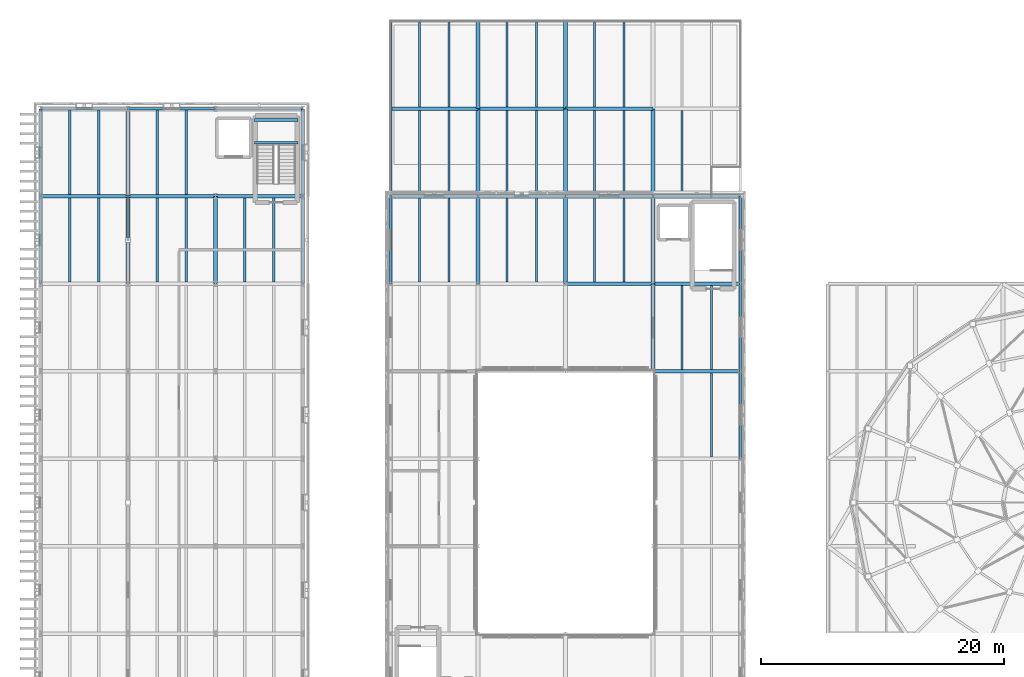
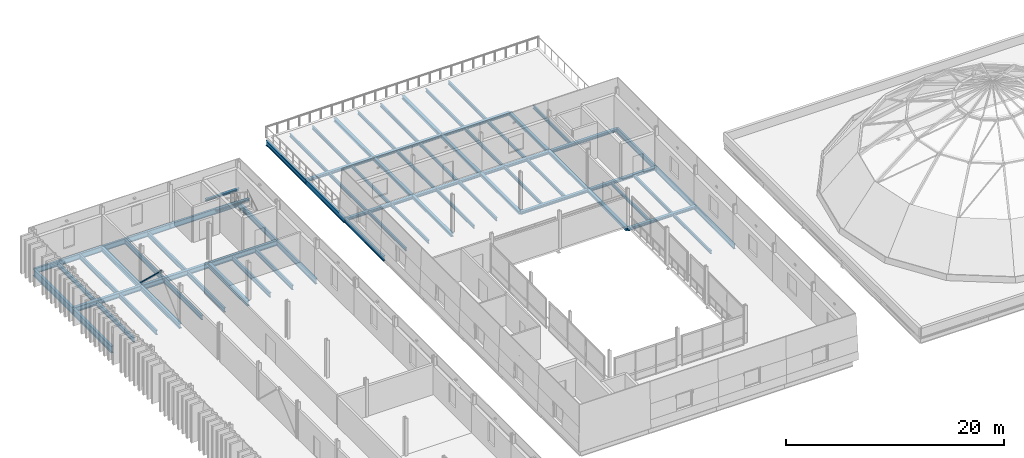
# One storey, part 12 of 66: 72 beams, 1 member.
"""IFC4 building model written with IfcOpenShell, lengths in metres."""

from ifc_helpers import new_model, si_unit, direction, frame, origin, origin_2d, place, context, subcontext, project, spatial, hollow_circle, i_section, extrude, material, material_profile, profile_set, type_object, element, save


model = new_model("IFC4")

# Units and contexts
model_context = context("Model", 3, precision=1e-05, world=origin(), true_north=direction((0.0, 1.0)))
body_context = subcontext(model_context, "Body", "Model", "MODEL_VIEW")
ifc_project = project(units=[si_unit("LENGTHUNIT", "METRE"), si_unit("AREAUNIT", "SQUARE_METRE"), si_unit("VOLUMEUNIT", "CUBIC_METRE"), si_unit("PLANEANGLEUNIT", "RADIAN"), si_unit("MASSUNIT", "GRAM", prefix="KILO")], contexts=[model_context])

# Site, building, storey
site_placement = place(None, origin())
site = spatial("IfcSite", under=ifc_project, at=site_placement, CompositionType="ELEMENT")
building_placement = place(site_placement, origin())
building = spatial("IfcBuilding", under=site, at=building_placement, Name="Narikvali Park Central Library", CompositionType="ELEMENT")
storey_placement = place(building_placement, frame((0.0, 0.0, 18.60009765625)))
storey = spatial("IfcBuildingStorey", under=building, at=storey_placement, Name="L04", CompositionType="ELEMENT", Elevation=18.60009765625)

# Beams
ifc_material = material(Name="Steel S355", Category="steel")
ifc_material_profile_1 = material_profile(ifc_material, i_section(OverallWidth=0.169921875, OverallDepth=0.360107421875, WebThickness=0.008056640625, FlangeThickness=0.0126953125, FilletRadius=0.01806640625, at=origin_2d()), Name="IPE 360")
ifc_profile_set_1 = profile_set([ifc_material_profile_1], Name="Steel S355")
beam_type_1 = type_object("IfcBeamType", Name="Composite Floor Joist IPE360", PredefinedType="JOIST", material=ifc_profile_set_1)
for number, where, z_axis, x_axis, name in (
    (1, (31.199951171875, 93.75, -0.440185546875), (0.0, 1.0, 0.0), (-1.0, 0.0, 0.0), "V4 L04 Composite Joist 1"),
    (2, (33.60009765625, 93.75, -0.440185546875), (0.0, 1.0, 0.0), (-1.0, 0.0, 0.0), "V4 L04 Composite Joist 2"),
):
    element("IfcBeam", number, at=place(storey_placement, frame(where, z_axis=z_axis, x_axis=x_axis)), inside=storey, type_object=beam_type_1, Name=name, PredefinedType="JOIST", context=body_context, shape_type="SweptSolid", body=[
        extrude(i_section(OverallWidth=0.169921875, OverallDepth=0.360107421875, WebThickness=0.008056640625, FlangeThickness=0.0126953125, FilletRadius=0.01806640625, at=origin_2d()), origin(), (0.0, 0.0, 1.0), 6.89990234375),
    ])
for number, where, z_axis, x_axis, name in (
    (3, (31.199951171875, 100.949951171875, -0.52001953125), (0.0, 1.0, 0.0), (-1.0, 0.0, 0.0), "V4 L04 Composite Joist 1"),
    (4, (33.60009765625, 100.949951171875, -0.52001953125), (0.0, 1.0, 0.0), (-1.0, 0.0, 0.0), "V4 L04 Composite Joist 2"),
):
    element("IfcBeam", number, at=place(storey_placement, frame(where, z_axis=z_axis, x_axis=x_axis)), inside=storey, type_object=beam_type_1, Name=name, PredefinedType="JOIST", context=body_context, shape_type="SweptSolid", body=[
        extrude(i_section(OverallWidth=0.169921875, OverallDepth=0.360107421875, WebThickness=0.008056640625, FlangeThickness=0.0126953125, FilletRadius=0.01806640625, at=origin_2d()), origin(), (0.0, 0.0, 1.0), 6.900146484375),
    ])
for number, where, z_axis, x_axis, name in (
    (5, (31.199951171875, 108.14990234375, -0.52001953125), (0.0, 1.0, 0.0), (-1.0, 0.0, 0.0), "V4 L04 Composite Joist 1"),
    (6, (33.60009765625, 108.14990234375, -0.52001953125), (0.0, 1.0, 0.0), (-1.0, 0.0, 0.0), "V4 L04 Composite Joist 2"),
):
    element("IfcBeam", number, at=place(storey_placement, frame(where, z_axis=z_axis, x_axis=x_axis)), inside=storey, type_object=beam_type_1, Name=name, PredefinedType="JOIST", context=body_context, shape_type="SweptSolid", body=[
        extrude(i_section(OverallWidth=0.169921875, OverallDepth=0.360107421875, WebThickness=0.008056640625, FlangeThickness=0.0126953125, FilletRadius=0.01806640625, at=origin_2d()), origin(), (0.0, 0.0, 1.0), 6.945068359375),
    ])
for number, where, z_axis, x_axis, name in (
    (7, (38.39990234375, 93.75, -0.440185546875), (0.0, 1.0, 0.0), (-1.0, 0.0, 0.0), "V4 L04 Composite Joist 1"),
    (8, (40.800048828125, 93.75, -0.440185546875), (0.0, 1.0, 0.0), (-1.0, 0.0, 0.0), "V4 L04 Composite Joist 2"),
):
    element("IfcBeam", number, at=place(storey_placement, frame(where, z_axis=z_axis, x_axis=x_axis)), inside=storey, type_object=beam_type_1, Name=name, PredefinedType="JOIST", context=body_context, shape_type="SweptSolid", body=[
        extrude(i_section(OverallWidth=0.169921875, OverallDepth=0.360107421875, WebThickness=0.008056640625, FlangeThickness=0.0126953125, FilletRadius=0.01806640625, at=origin_2d()), origin(), (0.0, 0.0, 1.0), 6.89990234375),
    ])
for number, where, z_axis, x_axis, name in (
    (9, (38.39990234375, 100.949951171875, -0.52001953125), (0.0, 1.0, 0.0), (-1.0, 0.0, 0.0), "V4 L04 Composite Joist 1"),
    (10, (40.800048828125, 100.949951171875, -0.52001953125), (0.0, 1.0, 0.0), (-1.0, 0.0, 0.0), "V4 L04 Composite Joist 2"),
):
    element("IfcBeam", number, at=place(storey_placement, frame(where, z_axis=z_axis, x_axis=x_axis)), inside=storey, type_object=beam_type_1, Name=name, PredefinedType="JOIST", context=body_context, shape_type="SweptSolid", body=[
        extrude(i_section(OverallWidth=0.169921875, OverallDepth=0.360107421875, WebThickness=0.008056640625, FlangeThickness=0.0126953125, FilletRadius=0.01806640625, at=origin_2d()), origin(), (0.0, 0.0, 1.0), 6.900146484375),
    ])
for number, where, z_axis, x_axis, name in (
    (11, (38.39990234375, 108.14990234375, -0.52001953125), (0.0, 1.0, 0.0), (-1.0, 0.0, 0.0), "V4 L04 Composite Joist 1"),
    (12, (40.800048828125, 108.14990234375, -0.52001953125), (0.0, 1.0, 0.0), (-1.0, 0.0, 0.0), "V4 L04 Composite Joist 2"),
):
    element("IfcBeam", number, at=place(storey_placement, frame(where, z_axis=z_axis, x_axis=x_axis)), inside=storey, type_object=beam_type_1, Name=name, PredefinedType="JOIST", context=body_context, shape_type="SweptSolid", body=[
        extrude(i_section(OverallWidth=0.169921875, OverallDepth=0.360107421875, WebThickness=0.008056640625, FlangeThickness=0.0126953125, FilletRadius=0.01806640625, at=origin_2d()), origin(), (0.0, 0.0, 1.0), 6.945068359375),
    ])
for number, where, z_axis, x_axis, name in (
    (13, (45.60009765625, 93.75, -0.440185546875), (0.0, 1.0, 0.0), (-1.0, 0.0, 0.0), "V4 L04 Composite Joist 1"),
    (14, (48.0, 93.75, -0.440185546875), (0.0, 1.0, 0.0), (-1.0, 0.0, 0.0), "V4 L04 Composite Joist 2"),
):
    element("IfcBeam", number, at=place(storey_placement, frame(where, z_axis=z_axis, x_axis=x_axis)), inside=storey, type_object=beam_type_1, Name=name, PredefinedType="JOIST", context=body_context, shape_type="SweptSolid", body=[
        extrude(i_section(OverallWidth=0.169921875, OverallDepth=0.360107421875, WebThickness=0.008056640625, FlangeThickness=0.0126953125, FilletRadius=0.01806640625, at=origin_2d()), origin(), (0.0, 0.0, 1.0), 6.89990234375),
    ])
for number, where, z_axis, x_axis, name in (
    (15, (45.60009765625, 100.949951171875, -0.52001953125), (0.0, 1.0, 0.0), (-1.0, 0.0, 0.0), "V4 L04 Composite Joist 1"),
    (16, (48.0, 100.949951171875, -0.52001953125), (0.0, 1.0, 0.0), (-1.0, 0.0, 0.0), "V4 L04 Composite Joist 2"),
):
    element("IfcBeam", number, at=place(storey_placement, frame(where, z_axis=z_axis, x_axis=x_axis)), inside=storey, type_object=beam_type_1, Name=name, PredefinedType="JOIST", context=body_context, shape_type="SweptSolid", body=[
        extrude(i_section(OverallWidth=0.169921875, OverallDepth=0.360107421875, WebThickness=0.008056640625, FlangeThickness=0.0126953125, FilletRadius=0.01806640625, at=origin_2d()), origin(), (0.0, 0.0, 1.0), 6.900146484375),
    ])
for number, where, z_axis, x_axis, name in (
    (17, (45.60009765625, 108.14990234375, -0.52001953125), (0.0, 1.0, 0.0), (-1.0, 0.0, 0.0), "V4 L04 Composite Joist 1"),
    (18, (48.0, 108.14990234375, -0.52001953125), (0.0, 1.0, 0.0), (-1.0, 0.0, 0.0), "V4 L04 Composite Joist 2"),
):
    element("IfcBeam", number, at=place(storey_placement, frame(where, z_axis=z_axis, x_axis=x_axis)), inside=storey, type_object=beam_type_1, Name=name, PredefinedType="JOIST", context=body_context, shape_type="SweptSolid", body=[
        extrude(i_section(OverallWidth=0.169921875, OverallDepth=0.360107421875, WebThickness=0.008056640625, FlangeThickness=0.0126953125, FilletRadius=0.01806640625, at=origin_2d()), origin(), (0.0, 0.0, 1.0), 6.945068359375),
    ])
for number, where, z_axis, x_axis, name in (
    (19, (55.199951171875, 79.35009765625, -0.440185546875), (0.0, 1.0, 0.0), (-1.0, 0.0, 0.0), "V4 L04 Composite Joist 2"),
    (20, (52.800048828125, 86.550048828125, -0.440185546875), (0.0, 1.0, 0.0), (-1.0, 0.0, 0.0), "V4 L04 Composite Joist 1"),
    (21, (55.199951171875, 86.550048828125, -0.440185546875), (0.0, 1.0, 0.0), (-1.0, 0.0, 0.0), "V4 L04 Composite Joist 2"),
):
    element("IfcBeam", number, at=place(storey_placement, frame(where, z_axis=z_axis, x_axis=x_axis)), inside=storey, type_object=beam_type_1, Name=name, PredefinedType="JOIST", context=body_context, shape_type="SweptSolid", body=[
        extrude(i_section(OverallWidth=0.169921875, OverallDepth=0.360107421875, WebThickness=0.008056640625, FlangeThickness=0.0126953125, FilletRadius=0.01806640625, at=origin_2d()), origin(), (0.0, 0.0, 1.0), 6.89990234375),
    ])
beam_1_placement = place(storey_placement, frame((52.800048828125, 100.949951171875, -0.52001953125), z_axis=(0.0, 1.0, 0.0), x_axis=(-1.0, 0.0, 0.0)))
element("IfcBeam", 22, at=beam_1_placement, inside=storey, type_object=beam_type_1, Name="V4 L04 Composite Joist 1", PredefinedType="JOIST", context=body_context, shape_type="SweptSolid", body=[
    extrude(i_section(OverallWidth=0.169921875, OverallDepth=0.360107421875, WebThickness=0.008056640625, FlangeThickness=0.0126953125, FilletRadius=0.01806640625, at=origin_2d()), origin(), (0.0, 0.0, 1.0), 6.900146484375),
])
ifc_material_profile_2 = material_profile(ifc_material, i_section(OverallWidth=0.239990234375, OverallDepth=0.239990234375, WebThickness=0.010009765625, FlangeThickness=0.01708984375, FilletRadius=0.02099609375, at=origin_2d()), Name="HEB 240")
ifc_profile_set_2 = profile_set([ifc_material_profile_2], Name="Steel S355")
beam_type_2 = type_object("IfcBeamType", Name="Core Trimmer Girder HEB240", PredefinedType="BEAM", material=ifc_profile_set_2)
for number, where, z_axis, x_axis, name in (
    (23, (17.6201171875, 105.205078125, 1.77978515625), (1.0, 0.0, 0.0), (0.0, 1.0, 0.0), "ST-10 L04 Landing Trimmer Beam 1-1"),
    (24, (17.6201171875, 107.080078125, 1.77978515625), (1.0, 0.0, 0.0), (0.0, 1.0, 0.0), "ST-10 L04 Landing Trimmer Beam 1-2"),
):
    element("IfcBeam", number, at=place(storey_placement, frame(where, z_axis=z_axis, x_axis=x_axis)), inside=storey, type_object=beam_type_2, Name=name, PredefinedType="BEAM", context=body_context, shape_type="SweptSolid", body=[
        extrude(i_section(OverallWidth=0.239990234375, OverallDepth=0.239990234375, WebThickness=0.010009765625, FlangeThickness=0.01708984375, FilletRadius=0.02099609375, at=origin_2d()), origin(), (0.0, 0.0, 1.0), 3.559814453125),
    ])
ifc_material_profile_3 = material_profile(ifc_material, i_section(OverallWidth=0.264892578125, OverallDepth=0.7529296875, WebThickness=0.01318359375, FlangeThickness=0.01708984375, FilletRadius=0.01708984375, at=origin_2d()), Name="IPE 750x147")
ifc_profile_set_3 = profile_set([ifc_material_profile_3], Name="Steel S355")
beam_type_3 = type_object("IfcBeamType", Name="Fin Facade Spandrel IPE750", PredefinedType="SPANDREL", material=ifc_profile_set_3)
beam_2_placement = place(storey_placement, frame((0.0, 93.60791015625, -0.63671875), z_axis=(0.0, 1.0, 0.0), x_axis=(-1.0, 0.0, 0.0)))
element("IfcBeam", 25, at=beam_2_placement, inside=storey, type_object=beam_type_3, Name="V5 L04 Girder Y", PredefinedType="SPANDREL", context=body_context, shape_type="SweptSolid", body=[
    extrude(i_section(OverallWidth=0.264892578125, OverallDepth=0.7529296875, WebThickness=0.01318359375, FlangeThickness=0.01708984375, FilletRadius=0.01708984375, at=origin_2d()), origin(), (0.0, 0.0, 1.0), 7.18408203125),
])
beam_3_placement = place(storey_placement, frame((0.0, 100.80810546875, -0.63671875), z_axis=(0.0, 1.0, 0.0), x_axis=(-1.0, 0.0, 0.0)))
element("IfcBeam", 26, at=beam_3_placement, inside=storey, type_object=beam_type_3, Name="V5 L04 Girder Y", PredefinedType="SPANDREL", context=body_context, shape_type="SweptSolid", body=[
    extrude(i_section(OverallWidth=0.264892578125, OverallDepth=0.7529296875, WebThickness=0.01318359375, FlangeThickness=0.01708984375, FilletRadius=0.01708984375, at=origin_2d()), origin(), (0.0, 0.0, 1.0), 7.183837890625),
])
ifc_material_profile_4 = material_profile(ifc_material, i_section(OverallWidth=0.201904296875, OverallDepth=0.506103515625, WebThickness=0.011962890625, FlangeThickness=0.01904296875, FilletRadius=0.02099609375, at=origin_2d()), Name="IPEO 500")
ifc_profile_set_4 = profile_set([ifc_material_profile_4], Name="Steel S355")
beam_type_4 = type_object("IfcBeamType", Name="Open Stack Joist IPEO500", PredefinedType="JOIST", material=ifc_profile_set_4)
for number, where, z_axis, x_axis, name in (
    (27, (2.39990234375, 93.75, -0.51318359375), (0.0, 1.0, 0.0), (-1.0, 0.0, 0.0), "V5 L04 Composite Joist 1"),
    (28, (4.800048828125, 93.75, -0.51318359375), (0.0, 1.0, 0.0), (-1.0, 0.0, 0.0), "V5 L04 Composite Joist 2"),
):
    element("IfcBeam", number, at=place(storey_placement, frame(where, z_axis=z_axis, x_axis=x_axis)), inside=storey, type_object=beam_type_4, Name=name, PredefinedType="JOIST", context=body_context, shape_type="SweptSolid", body=[
        extrude(i_section(OverallWidth=0.201904296875, OverallDepth=0.506103515625, WebThickness=0.011962890625, FlangeThickness=0.01904296875, FilletRadius=0.02099609375, at=origin_2d()), origin(), (0.0, 0.0, 1.0), 6.89990234375),
    ])
for number, where, z_axis, x_axis, name in (
    (29, (2.39990234375, 100.949951171875, -0.51318359375), (0.0, 1.0, 0.0), (-1.0, 0.0, 0.0), "V5 L04 Composite Joist 1"),
    (30, (4.800048828125, 100.949951171875, -0.51318359375), (0.0, 1.0, 0.0), (-1.0, 0.0, 0.0), "V5 L04 Composite Joist 2"),
):
    element("IfcBeam", number, at=place(storey_placement, frame(where, z_axis=z_axis, x_axis=x_axis)), inside=storey, type_object=beam_type_4, Name=name, PredefinedType="JOIST", context=body_context, shape_type="SweptSolid", body=[
        extrude(i_section(OverallWidth=0.201904296875, OverallDepth=0.506103515625, WebThickness=0.011962890625, FlangeThickness=0.01904296875, FilletRadius=0.02099609375, at=origin_2d()), origin(), (0.0, 0.0, 1.0), 6.93994140625),
    ])
for number, where, z_axis, x_axis, name in (
    (31, (9.60009765625, 93.75, -0.51318359375), (0.0, 1.0, 0.0), (-1.0, 0.0, 0.0), "V5 L04 Composite Joist 1"),
    (32, (12.0, 93.75, -0.51318359375), (0.0, 1.0, 0.0), (-1.0, 0.0, 0.0), "V5 L04 Composite Joist 2"),
):
    element("IfcBeam", number, at=place(storey_placement, frame(where, z_axis=z_axis, x_axis=x_axis)), inside=storey, type_object=beam_type_4, Name=name, PredefinedType="JOIST", context=body_context, shape_type="SweptSolid", body=[
        extrude(i_section(OverallWidth=0.201904296875, OverallDepth=0.506103515625, WebThickness=0.011962890625, FlangeThickness=0.01904296875, FilletRadius=0.02099609375, at=origin_2d()), origin(), (0.0, 0.0, 1.0), 6.89990234375),
    ])
for number, where, z_axis, x_axis, name in (
    (33, (9.60009765625, 100.949951171875, -0.51318359375), (0.0, 1.0, 0.0), (-1.0, 0.0, 0.0), "V5 L04 Composite Joist 1"),
    (34, (12.0, 100.949951171875, -0.51318359375), (0.0, 1.0, 0.0), (-1.0, 0.0, 0.0), "V5 L04 Composite Joist 2"),
):
    element("IfcBeam", number, at=place(storey_placement, frame(where, z_axis=z_axis, x_axis=x_axis)), inside=storey, type_object=beam_type_4, Name=name, PredefinedType="JOIST", context=body_context, shape_type="SweptSolid", body=[
        extrude(i_section(OverallWidth=0.201904296875, OverallDepth=0.506103515625, WebThickness=0.011962890625, FlangeThickness=0.01904296875, FilletRadius=0.02099609375, at=origin_2d()), origin(), (0.0, 0.0, 1.0), 6.93994140625),
    ])
for number, where, z_axis, x_axis, name in (
    (35, (16.800048828125, 93.75, -0.51318359375), (0.0, 1.0, 0.0), (-1.0, 0.0, 0.0), "V5 L04 Composite Joist 1"),
    (36, (19.199951171875, 93.75, -0.51318359375), (0.0, 1.0, 0.0), (-1.0, 0.0, 0.0), "V5 L04 Composite Joist 2"),
):
    element("IfcBeam", number, at=place(storey_placement, frame(where, z_axis=z_axis, x_axis=x_axis)), inside=storey, type_object=beam_type_4, Name=name, PredefinedType="JOIST", context=body_context, shape_type="SweptSolid", body=[
        extrude(i_section(OverallWidth=0.201904296875, OverallDepth=0.506103515625, WebThickness=0.011962890625, FlangeThickness=0.01904296875, FilletRadius=0.02099609375, at=origin_2d()), origin(), (0.0, 0.0, 1.0), 6.89990234375),
    ])
ifc_material_profile_5 = material_profile(ifc_material, i_section(OverallWidth=0.2099609375, OverallDepth=0.550048828125, WebThickness=0.010986328125, FlangeThickness=0.01708984375, FilletRadius=0.02392578125, at=origin_2d()), Name="IPE 550")
ifc_profile_set_5 = profile_set([ifc_material_profile_5], Name="Steel S355")
beam_type_5 = type_object("IfcBeamType", Name="Perimeter Spandrel IPE550", PredefinedType="SPANDREL", material=ifc_profile_set_5)
beam_4_placement = place(storey_placement, frame((28.800048828125, 93.60791015625, -0.53515625), z_axis=(0.0, 1.0, 0.0), x_axis=(-1.0, 0.0, 0.0)))
element("IfcBeam", 37, at=beam_4_placement, inside=storey, type_object=beam_type_5, Name="V4 L04 Girder Y", PredefinedType="SPANDREL", context=body_context, shape_type="SweptSolid", body=[
    extrude(i_section(OverallWidth=0.2099609375, OverallDepth=0.550048828125, WebThickness=0.010986328125, FlangeThickness=0.01708984375, FilletRadius=0.02392578125, at=origin_2d()), origin(), (0.0, 0.0, 1.0), 7.18408203125),
])
for number, where, z_axis, x_axis, name in (
    (38, (28.800048828125, 100.80810546875, -0.614990234375), (0.0, 1.0, 0.0), (-1.0, 0.0, 0.0), "V4 L04 Girder Y"),
    (39, (28.800048828125, 108.008056640625, -0.614990234375), (0.0, 1.0, 0.0), (-1.0, 0.0, 0.0), "V4 L04 Girder Y"),
):
    element("IfcBeam", number, at=place(storey_placement, frame(where, z_axis=z_axis, x_axis=x_axis)), inside=storey, type_object=beam_type_5, Name=name, PredefinedType="SPANDREL", context=body_context, shape_type="SweptSolid", body=[
        extrude(i_section(OverallWidth=0.2099609375, OverallDepth=0.550048828125, WebThickness=0.010986328125, FlangeThickness=0.01708984375, FilletRadius=0.02392578125, at=origin_2d()), origin(), (0.0, 0.0, 1.0), 7.183837890625),
    ])
for number, where, z_axis, x_axis, name in (
    (40, (57.60009765625, 79.2080078125, -0.53515625), (0.0, 1.0, 0.0), (-1.0, 0.0, 0.0), "V4 L04 Girder Y"),
    (41, (57.60009765625, 86.407958984375, -0.53515625), (0.0, 1.0, 0.0), (-1.0, 0.0, 0.0), "V4 L04 Girder Y"),
    (42, (57.60009765625, 93.60791015625, -0.53515625), (0.0, 1.0, 0.0), (-1.0, 0.0, 0.0), "V4 L04 Girder Y"),
):
    element("IfcBeam", number, at=place(storey_placement, frame(where, z_axis=z_axis, x_axis=x_axis)), inside=storey, type_object=beam_type_5, Name=name, PredefinedType="SPANDREL", context=body_context, shape_type="SweptSolid", body=[
        extrude(i_section(OverallWidth=0.2099609375, OverallDepth=0.550048828125, WebThickness=0.010986328125, FlangeThickness=0.01708984375, FilletRadius=0.02392578125, at=origin_2d()), origin(), (0.0, 0.0, 1.0), 7.18408203125),
    ])
ifc_material_profile_6 = material_profile(ifc_material, i_section(OverallWidth=0.219970703125, OverallDepth=0.60009765625, WebThickness=0.011962890625, FlangeThickness=0.01904296875, FilletRadius=0.02392578125, at=origin_2d()), Name="IPE 600")
ifc_profile_set_6 = profile_set([ifc_material_profile_6], Name="Steel S355")
beam_type_6 = type_object("IfcBeamType", Name="Perimeter Spandrel IPE600", PredefinedType="SPANDREL", material=ifc_profile_set_6)
beam_5_placement = place(storey_placement, frame((0.008056640625, 108.0, -0.56005859375), z_axis=(1.0, 0.0, 0.0), x_axis=(0.0, 1.0, 0.0)))
element("IfcBeam", 43, at=beam_5_placement, inside=storey, type_object=beam_type_6, Name="V5 L04 Girder X", PredefinedType="SPANDREL", context=body_context, shape_type="SweptSolid", body=[
    extrude(i_section(OverallWidth=0.219970703125, OverallDepth=0.60009765625, WebThickness=0.011962890625, FlangeThickness=0.01904296875, FilletRadius=0.02392578125, at=origin_2d()), origin(), (0.0, 0.0, 1.0), 7.183837890625),
])
for number, where, z_axis, x_axis, name in (
    (44, (7.2080078125, 108.0, -0.56005859375), (1.0, 0.0, 0.0), (0.0, 1.0, 0.0), "V5 L04 Girder X"),
    (45, (14.407958984375, 108.0, -0.56005859375), (1.0, 0.0, 0.0), (0.0, 1.0, 0.0), "V5 L04 Girder X"),
    (46, (21.60009765625, 93.60791015625, -0.56005859375), (0.0, 1.0, 0.0), (-1.0, 0.0, 0.0), "V5 L04 Girder Y"),
):
    element("IfcBeam", number, at=place(storey_placement, frame(where, z_axis=z_axis, x_axis=x_axis)), inside=storey, type_object=beam_type_6, Name=name, PredefinedType="SPANDREL", context=body_context, shape_type="SweptSolid", body=[
        extrude(i_section(OverallWidth=0.219970703125, OverallDepth=0.60009765625, WebThickness=0.011962890625, FlangeThickness=0.01904296875, FilletRadius=0.02392578125, at=origin_2d()), origin(), (0.0, 0.0, 1.0), 7.18408203125),
    ])
beam_6_placement = place(storey_placement, frame((21.60009765625, 100.80810546875, -0.56005859375), z_axis=(0.0, 1.0, 0.0), x_axis=(-1.0, 0.0, 0.0)))
element("IfcBeam", 47, at=beam_6_placement, inside=storey, type_object=beam_type_6, Name="V5 L04 Girder Y", PredefinedType="SPANDREL", context=body_context, shape_type="SweptSolid", body=[
    extrude(i_section(OverallWidth=0.219970703125, OverallDepth=0.60009765625, WebThickness=0.011962890625, FlangeThickness=0.01904296875, FilletRadius=0.02392578125, at=origin_2d()), origin(), (0.0, 0.0, 1.0), 7.183837890625),
])
ifc_material_profile_7 = material_profile(ifc_material, i_section(OverallWidth=0.300048828125, OverallDepth=0.31005859375, WebThickness=0.009033203125, FlangeThickness=0.015380859375, FilletRadius=0.027099609375, at=origin_2d()), Name="HEA 320")
ifc_profile_set_7 = profile_set([ifc_material_profile_7], Name="Steel S355")
beam_type_7 = type_object("IfcBeamType", Name="Primary Girder HEA320", PredefinedType="BEAM", material=ifc_profile_set_7)
for number, where, z_axis, x_axis, name in (
    (48, (50.407958984375, 86.39990234375, -0.4150390625), (1.0, 0.0, 0.0), (0.0, 1.0, 0.0), "V4 L04 Girder X"),
    (49, (43.2080078125, 93.60009765625, -0.4150390625), (1.0, 0.0, 0.0), (0.0, 1.0, 0.0), "V4 L04 Girder X"),
    (50, (50.407958984375, 93.60009765625, -0.4150390625), (1.0, 0.0, 0.0), (0.0, 1.0, 0.0), "V4 L04 Girder X"),
):
    element("IfcBeam", number, at=place(storey_placement, frame(where, z_axis=z_axis, x_axis=x_axis)), inside=storey, type_object=beam_type_7, Name=name, PredefinedType="BEAM", context=body_context, shape_type="SweptSolid", body=[
        extrude(i_section(OverallWidth=0.300048828125, OverallDepth=0.31005859375, WebThickness=0.009033203125, FlangeThickness=0.015380859375, FilletRadius=0.027099609375, at=origin_2d()), origin(), (0.0, 0.0, 1.0), 7.18408203125),
    ])
for number, where, z_axis, x_axis, name in (
    (51, (28.80810546875, 100.800048828125, -0.4951171875), (1.0, 0.0, 0.0), (0.0, 1.0, 0.0), "V4 L04 Girder X"),
    (52, (36.008056640625, 100.800048828125, -0.4951171875), (1.0, 0.0, 0.0), (0.0, 1.0, 0.0), "V4 L04 Girder X"),
):
    element("IfcBeam", number, at=place(storey_placement, frame(where, z_axis=z_axis, x_axis=x_axis)), inside=storey, type_object=beam_type_7, Name=name, PredefinedType="BEAM", context=body_context, shape_type="SweptSolid", body=[
        extrude(i_section(OverallWidth=0.300048828125, OverallDepth=0.31005859375, WebThickness=0.009033203125, FlangeThickness=0.015380859375, FilletRadius=0.027099609375, at=origin_2d()), origin(), (0.0, 0.0, 1.0), 7.183837890625),
    ])
for number, where, z_axis, x_axis, name in (
    (53, (43.2080078125, 100.800048828125, -0.4951171875), (1.0, 0.0, 0.0), (0.0, 1.0, 0.0), "V4 L04 Girder X"),
    (54, (50.407958984375, 100.800048828125, -0.4951171875), (1.0, 0.0, 0.0), (0.0, 1.0, 0.0), "V4 L04 Girder X"),
):
    element("IfcBeam", number, at=place(storey_placement, frame(where, z_axis=z_axis, x_axis=x_axis)), inside=storey, type_object=beam_type_7, Name=name, PredefinedType="BEAM", context=body_context, shape_type="SweptSolid", body=[
        extrude(i_section(OverallWidth=0.300048828125, OverallDepth=0.31005859375, WebThickness=0.009033203125, FlangeThickness=0.015380859375, FilletRadius=0.027099609375, at=origin_2d()), origin(), (0.0, 0.0, 1.0), 7.18408203125),
    ])
for number, where, z_axis, x_axis, name in (
    (55, (28.80810546875, 108.0, -0.4951171875), (1.0, 0.0, 0.0), (0.0, 1.0, 0.0), "V4 L04 Girder X"),
    (56, (36.008056640625, 108.0, -0.4951171875), (1.0, 0.0, 0.0), (0.0, 1.0, 0.0), "V4 L04 Girder X"),
):
    element("IfcBeam", number, at=place(storey_placement, frame(where, z_axis=z_axis, x_axis=x_axis)), inside=storey, type_object=beam_type_7, Name=name, PredefinedType="BEAM", context=body_context, shape_type="SweptSolid", body=[
        extrude(i_section(OverallWidth=0.300048828125, OverallDepth=0.31005859375, WebThickness=0.009033203125, FlangeThickness=0.015380859375, FilletRadius=0.027099609375, at=origin_2d()), origin(), (0.0, 0.0, 1.0), 7.183837890625),
    ])
beam_7_placement = place(storey_placement, frame((43.2080078125, 108.0, -0.4951171875), z_axis=(1.0, 0.0, 0.0), x_axis=(0.0, 1.0, 0.0)))
element("IfcBeam", 57, at=beam_7_placement, inside=storey, type_object=beam_type_7, Name="V4 L04 Girder X", PredefinedType="BEAM", context=body_context, shape_type="SweptSolid", body=[
    extrude(i_section(OverallWidth=0.300048828125, OverallDepth=0.31005859375, WebThickness=0.009033203125, FlangeThickness=0.015380859375, FilletRadius=0.027099609375, at=origin_2d()), origin(), (0.0, 0.0, 1.0), 7.18408203125),
])
ifc_material_profile_8 = material_profile(ifc_material, i_section(OverallWidth=0.300048828125, OverallDepth=0.35009765625, WebThickness=0.010009765625, FlangeThickness=0.017578125, FilletRadius=0.027099609375, at=origin_2d()), Name="HEA 360")
ifc_profile_set_8 = profile_set([ifc_material_profile_8], Name="Steel S355")
beam_type_8 = type_object("IfcBeamType", Name="Primary Girder HEA360", PredefinedType="BEAM", material=ifc_profile_set_8)
beam_8_placement = place(storey_placement, frame((36.0, 93.60791015625, -0.43505859375), z_axis=(0.0, 1.0, 0.0), x_axis=(-1.0, 0.0, 0.0)))
element("IfcBeam", 58, at=beam_8_placement, inside=storey, type_object=beam_type_8, Name="V4 L04 Girder Y", PredefinedType="BEAM", context=body_context, shape_type="SweptSolid", body=[
    extrude(i_section(OverallWidth=0.300048828125, OverallDepth=0.35009765625, WebThickness=0.010009765625, FlangeThickness=0.017578125, FilletRadius=0.027099609375, at=origin_2d()), origin(), (0.0, 0.0, 1.0), 7.18408203125),
])
for number, where, z_axis, x_axis, name in (
    (59, (36.0, 100.80810546875, -0.51513671875), (0.0, 1.0, 0.0), (-1.0, 0.0, 0.0), "V4 L04 Girder Y"),
    (60, (36.0, 108.008056640625, -0.51513671875), (0.0, 1.0, 0.0), (-1.0, 0.0, 0.0), "V4 L04 Girder Y"),
):
    element("IfcBeam", number, at=place(storey_placement, frame(where, z_axis=z_axis, x_axis=x_axis)), inside=storey, type_object=beam_type_8, Name=name, PredefinedType="BEAM", context=body_context, shape_type="SweptSolid", body=[
        extrude(i_section(OverallWidth=0.300048828125, OverallDepth=0.35009765625, WebThickness=0.010009765625, FlangeThickness=0.017578125, FilletRadius=0.027099609375, at=origin_2d()), origin(), (0.0, 0.0, 1.0), 7.183837890625),
    ])
beam_9_placement = place(storey_placement, frame((43.199951171875, 93.60791015625, -0.43505859375), z_axis=(0.0, 1.0, 0.0), x_axis=(-1.0, 0.0, 0.0)))
element("IfcBeam", 61, at=beam_9_placement, inside=storey, type_object=beam_type_8, Name="V4 L04 Girder Y", PredefinedType="BEAM", context=body_context, shape_type="SweptSolid", body=[
    extrude(i_section(OverallWidth=0.300048828125, OverallDepth=0.35009765625, WebThickness=0.010009765625, FlangeThickness=0.017578125, FilletRadius=0.027099609375, at=origin_2d()), origin(), (0.0, 0.0, 1.0), 7.18408203125),
])
for number, where, z_axis, x_axis, name in (
    (62, (43.199951171875, 100.80810546875, -0.51513671875), (0.0, 1.0, 0.0), (-1.0, 0.0, 0.0), "V4 L04 Girder Y"),
    (63, (43.199951171875, 108.008056640625, -0.51513671875), (0.0, 1.0, 0.0), (-1.0, 0.0, 0.0), "V4 L04 Girder Y"),
):
    element("IfcBeam", number, at=place(storey_placement, frame(where, z_axis=z_axis, x_axis=x_axis)), inside=storey, type_object=beam_type_8, Name=name, PredefinedType="BEAM", context=body_context, shape_type="SweptSolid", body=[
        extrude(i_section(OverallWidth=0.300048828125, OverallDepth=0.35009765625, WebThickness=0.010009765625, FlangeThickness=0.017578125, FilletRadius=0.027099609375, at=origin_2d()), origin(), (0.0, 0.0, 1.0), 7.183837890625),
    ])
for number, where, z_axis, x_axis, name in (
    (64, (50.39990234375, 86.407958984375, -0.43505859375), (0.0, 1.0, 0.0), (-1.0, 0.0, 0.0), "V4 L04 Girder Y"),
    (65, (50.39990234375, 93.60791015625, -0.43505859375), (0.0, 1.0, 0.0), (-1.0, 0.0, 0.0), "V4 L04 Girder Y"),
):
    element("IfcBeam", number, at=place(storey_placement, frame(where, z_axis=z_axis, x_axis=x_axis)), inside=storey, type_object=beam_type_8, Name=name, PredefinedType="BEAM", context=body_context, shape_type="SweptSolid", body=[
        extrude(i_section(OverallWidth=0.300048828125, OverallDepth=0.35009765625, WebThickness=0.010009765625, FlangeThickness=0.017578125, FilletRadius=0.027099609375, at=origin_2d()), origin(), (0.0, 0.0, 1.0), 7.18408203125),
    ])
beam_10_placement = place(storey_placement, frame((50.39990234375, 100.80810546875, -0.51513671875), z_axis=(0.0, 1.0, 0.0), x_axis=(-1.0, 0.0, 0.0)))
element("IfcBeam", 66, at=beam_10_placement, inside=storey, type_object=beam_type_8, Name="V4 L04 Girder Y", PredefinedType="BEAM", context=body_context, shape_type="SweptSolid", body=[
    extrude(i_section(OverallWidth=0.300048828125, OverallDepth=0.35009765625, WebThickness=0.010009765625, FlangeThickness=0.017578125, FilletRadius=0.027099609375, at=origin_2d()), origin(), (0.0, 0.0, 1.0), 7.183837890625),
])
ifc_material_profile_9 = material_profile(ifc_material, i_section(OverallWidth=0.300048828125, OverallDepth=0.5400390625, WebThickness=0.012451171875, FlangeThickness=0.02392578125, FilletRadius=0.027099609375, at=origin_2d()), Name="HEA 550")
ifc_profile_set_9 = profile_set([ifc_material_profile_9], Name="Steel S355")
beam_type_9 = type_object("IfcBeamType", Name="Primary Girder HEA550", PredefinedType="BEAM", material=ifc_profile_set_9)
beam_11_placement = place(storey_placement, frame((7.199951171875, 93.60791015625, -0.530029296875), z_axis=(0.0, 1.0, 0.0), x_axis=(-1.0, 0.0, 0.0)))
element("IfcBeam", 67, at=beam_11_placement, inside=storey, type_object=beam_type_9, Name="V5 L04 Girder Y", PredefinedType="BEAM", context=body_context, shape_type="SweptSolid", body=[
    extrude(i_section(OverallWidth=0.300048828125, OverallDepth=0.5400390625, WebThickness=0.012451171875, FlangeThickness=0.02392578125, FilletRadius=0.027099609375, at=origin_2d()), origin(), (0.0, 0.0, 1.0), 7.18408203125),
])
beam_12_placement = place(storey_placement, frame((7.199951171875, 100.80810546875, -0.530029296875), z_axis=(0.0, 1.0, 0.0), x_axis=(-1.0, 0.0, 0.0)))
element("IfcBeam", 68, at=beam_12_placement, inside=storey, type_object=beam_type_9, Name="V5 L04 Girder Y", PredefinedType="BEAM", context=body_context, shape_type="SweptSolid", body=[
    extrude(i_section(OverallWidth=0.300048828125, OverallDepth=0.5400390625, WebThickness=0.012451171875, FlangeThickness=0.02392578125, FilletRadius=0.027099609375, at=origin_2d()), origin(), (0.0, 0.0, 1.0), 7.183837890625),
])
beam_13_placement = place(storey_placement, frame((14.39990234375, 93.60791015625, -0.530029296875), z_axis=(0.0, 1.0, 0.0), x_axis=(-1.0, 0.0, 0.0)))
element("IfcBeam", 69, at=beam_13_placement, inside=storey, type_object=beam_type_9, Name="V5 L04 Girder Y", PredefinedType="BEAM", context=body_context, shape_type="SweptSolid", body=[
    extrude(i_section(OverallWidth=0.300048828125, OverallDepth=0.5400390625, WebThickness=0.012451171875, FlangeThickness=0.02392578125, FilletRadius=0.027099609375, at=origin_2d()), origin(), (0.0, 0.0, 1.0), 7.18408203125),
])
ifc_material_profile_10 = material_profile(ifc_material, i_section(OverallWidth=0.300048828125, OverallDepth=0.550048828125, WebThickness=0.014892578125, FlangeThickness=0.029052734375, FilletRadius=0.027099609375, at=origin_2d()), Name="HEB 550")
ifc_profile_set_10 = profile_set([ifc_material_profile_10], Name="Steel S355")
beam_type_10 = type_object("IfcBeamType", Name="Primary Stack Girder HEB550", PredefinedType="BEAM", material=ifc_profile_set_10)
beam_14_placement = place(storey_placement, frame((0.008056640625, 100.800048828125, -0.53515625), z_axis=(1.0, 0.0, 0.0), x_axis=(0.0, 1.0, 0.0)))
element("IfcBeam", 70, at=beam_14_placement, inside=storey, type_object=beam_type_10, Name="V5 L04 Girder X", PredefinedType="BEAM", context=body_context, shape_type="SweptSolid", body=[
    extrude(i_section(OverallWidth=0.300048828125, OverallDepth=0.550048828125, WebThickness=0.014892578125, FlangeThickness=0.029052734375, FilletRadius=0.027099609375, at=origin_2d()), origin(), (0.0, 0.0, 1.0), 7.183837890625),
])
for number, where, z_axis, x_axis, name in (
    (71, (7.2080078125, 100.800048828125, -0.53515625), (1.0, 0.0, 0.0), (0.0, 1.0, 0.0), "V5 L04 Girder X"),
    (72, (14.407958984375, 100.800048828125, -0.53515625), (1.0, 0.0, 0.0), (0.0, 1.0, 0.0), "V5 L04 Girder X"),
):
    element("IfcBeam", number, at=place(storey_placement, frame(where, z_axis=z_axis, x_axis=x_axis)), inside=storey, type_object=beam_type_10, Name=name, PredefinedType="BEAM", context=body_context, shape_type="SweptSolid", body=[
        extrude(i_section(OverallWidth=0.300048828125, OverallDepth=0.550048828125, WebThickness=0.014892578125, FlangeThickness=0.029052734375, FilletRadius=0.027099609375, at=origin_2d()), origin(), (0.0, 0.0, 1.0), 7.18408203125),
    ])

# Member
ifc_material_profile_11 = material_profile(ifc_material, hollow_circle(Radius=0.122314453125, WallThickness=0.012451171875, at=origin_2d()), Name="CHS 244.5x12.5")
ifc_profile_set_11 = profile_set([ifc_material_profile_11], Name="Steel S355")
member_type = type_object("IfcMemberType", Name="Upper Chevron Brace CHS244", PredefinedType="BRACE", material=ifc_profile_set_11)
member_placement = place(storey_placement, frame((7.199951171875, 100.784912109375, 0.014892578125), z_axis=(0.0, -0.725068468495, 0.688676786305), x_axis=(1.0, 0.0, 0.0)))
element("IfcMember", 73, at=member_placement, inside=storey, type_object=member_type, Name="V5 L04 Seismic Chevron Brace B", PredefinedType="BRACE", context=body_context, shape_type="SweptSolid", body=[
    extrude(hollow_circle(Radius=0.122314453125, WallThickness=0.012451171875, at=origin_2d()), origin(), (0.0, 0.0, 1.0), 4.9443359375),
])

save(model, "model.ifc")
